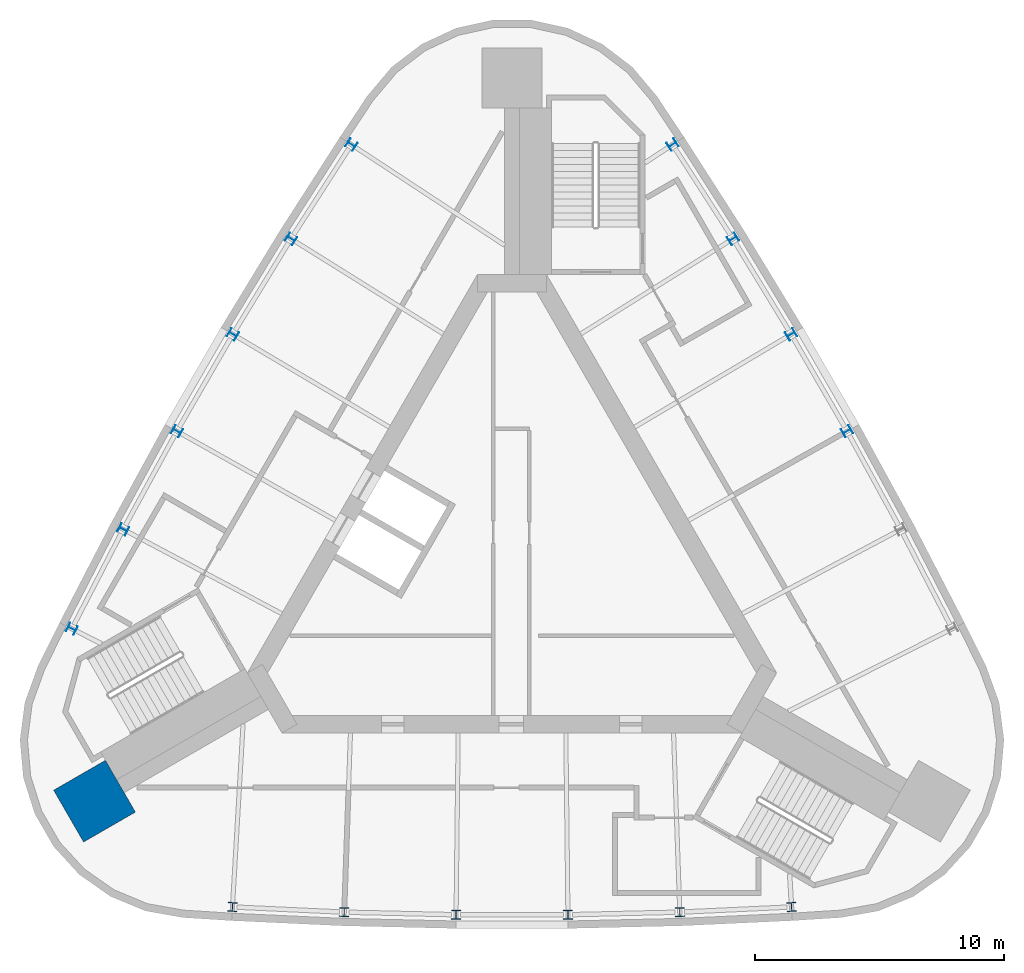
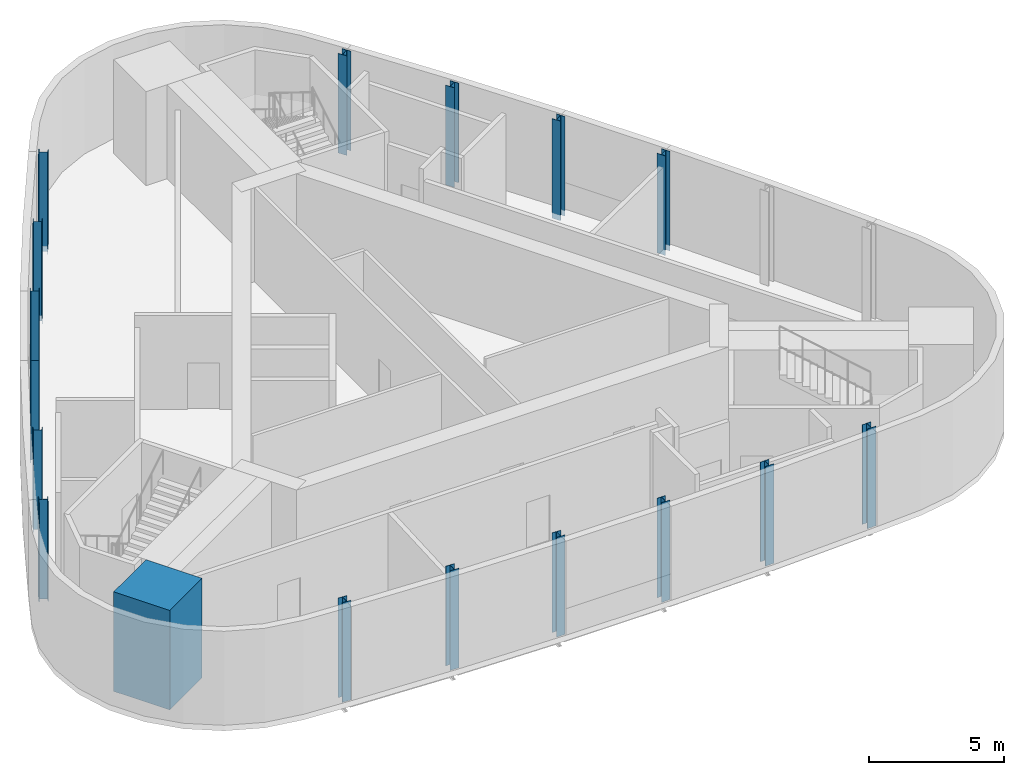
# One storey, part 1 of 7: 17 columns.
"""IFC4 building model written with IfcOpenShell, lengths in metres."""

from ifc_helpers import new_model, si_unit, direction, frame, origin, origin_2d, place, context, subcontext, project, spatial, rectangle, i_section, extrude, material, material_profile, profile_set, type_object, element, save


model = new_model("IFC4")

# Units and contexts
model_context = context("Model", 3, precision=1e-05, world=origin(), true_north=direction((0.0, 1.0)))
body_context = subcontext(model_context, "Body", "Model", "MODEL_VIEW")
ifc_project = project(units=[si_unit("LENGTHUNIT", "METRE"), si_unit("AREAUNIT", "SQUARE_METRE"), si_unit("VOLUMEUNIT", "CUBIC_METRE"), si_unit("PLANEANGLEUNIT", "RADIAN"), si_unit("MASSUNIT", "GRAM", prefix="KILO")], contexts=[model_context])

# Site, building, storey
site_placement = place(None, origin())
site = spatial("IfcSite", under=ifc_project, at=site_placement, CompositionType="ELEMENT")
building_placement = place(site_placement, origin())
building = spatial("IfcBuilding", under=site, at=building_placement, Name="Noor Cloister Tower", CompositionType="ELEMENT")
storey_placement = place(building_placement, frame((0.0, 0.0, 297.60009765625)))
storey = spatial("IfcBuildingStorey", under=building, at=storey_placement, Name="L75", CompositionType="ELEMENT", Elevation=297.60009765625)

# Columns
ifc_material_1 = material(Name="Steel ASTM A992 Gr 50", Category="steel")
ifc_material_profile_1 = material_profile(ifc_material_1, i_section(OverallWidth=0.367919921875, OverallDepth=0.35595703125, WebThickness=0.01123046875, FlangeThickness=0.01806640625, FilletRadius=0.015380859375, at=origin_2d()), Name="W360x134")
ifc_profile_set_1 = profile_set([ifc_material_profile_1], Name="Steel ASTM A992 Gr 50")
column_type_1 = type_object("IfcColumnType", Name="Column W360x134", PredefinedType="COLUMN", material=ifc_profile_set_1)
for number, where, z_axis, x_axis, name in (
    (1, (-6.441650390625, 16.66552734375, -0.25), (0.0, 0.0, 1.0), (-0.549344612048, -0.835595893488, 0.0), "Column NW 01 L75"),
    (2, (-8.863037109375, 12.8876953125, -0.25), (0.0, 0.0, 1.0), (-0.529819164802, -0.84811063701, 0.0), "Column NW 02 L75"),
    (3, (-11.196044921875, 9.0546875, -0.25), (0.0, 0.0, 1.0), (-0.51000874803, -0.860169214127, 0.0), "Column NW 03 L75"),
    (4, (-13.439697265625, 5.168701171875, -0.25), (0.0, 0.0, 1.0), (-0.489924016972, -0.87176513901, 0.0), "Column NW 04 L75"),
    (5, (-15.592529296875, 1.231689453125, -0.25), (0.0, 0.0, 1.0), (-0.469575774469, -0.882892174635, 0.0), "Column NW 05 L75"),
    (6, (-17.653564453125, -2.75390625, -0.25), (0.0, 0.0, 1.0), (-0.448974965035, -0.893544336209, 0.0), "Column NW 06 L75"),
    (7, (-11.2119140625, -13.911376953125, -0.25), (0.0, 0.0, 1.0), (0.998319577082, -0.057948442721, 0.0), "Column S 01 L75"),
    (8, (-6.7294921875, -14.119384765625, -0.25), (0.0, 0.0, 1.0), (0.999394939271, -0.034781537625, 0.0), "Column S 02 L75"),
    (9, (-2.24365234375, -14.2236328125, -0.25), (0.0, 0.0, 1.0), (0.999932765003, -0.011595924883, 0.0), "Column S 03 L75"),
    (10, (2.24365234375, -14.2236328125, -0.25), (0.0, 0.0, 1.0), (0.999932765003, 0.011595924883, 0.0), "Column S 04 L75"),
    (11, (6.7294921875, -14.119384765625, -0.25), (0.0, 0.0, 1.0), (0.999394939271, 0.034781537625, 0.0), "Column S 05 L75"),
    (12, (11.2119140625, -13.911376953125, -0.25), (0.0, 0.0, 1.0), (0.998319577082, 0.057948442721, 0.0), "Column S 06 L75"),
    (13, (13.439697265625, 5.168701171875, -0.25), (0.0, 0.0, 1.0), (-0.489924016972, 0.87176513901, 0.0), "Column NE 03 L75"),
    (14, (11.196044921875, 9.0546875, -0.25), (0.0, 0.0, 1.0), (-0.51000874803, 0.860169214127, 0.0), "Column NE 04 L75"),
    (15, (8.863037109375, 12.8876953125, -0.25), (0.0, 0.0, 1.0), (-0.529819164802, 0.84811063701, 0.0), "Column NE 05 L75"),
    (16, (6.441650390625, 16.66552734375, -0.25), (0.0, 0.0, 1.0), (-0.549344612048, 0.835595893488, 0.0), "Column NE 06 L75"),
):
    element("IfcColumn", number, at=place(storey_placement, frame(where, z_axis=z_axis, x_axis=x_axis)), inside=storey, type_object=column_type_1, Name=name, PredefinedType="COLUMN", context=body_context, shape_type="SweptSolid", body=[
        extrude(i_section(OverallWidth=0.367919921875, OverallDepth=0.35595703125, WebThickness=0.01123046875, FlangeThickness=0.01806640625, FilletRadius=0.015380859375, at=origin_2d()), origin(), (0.0, 0.0, 1.0), 4.5),
    ])
ifc_material_2 = material(Name="Concrete C50/60", Category="concrete")
ifc_material_profile_2 = material_profile(ifc_material_2, rectangle(XDim=2.39990234375, YDim=2.39990234375, at=origin_2d()), Name="RC 2400x2400")
ifc_profile_set_2 = profile_set([ifc_material_profile_2], Name="Concrete C50/60")
column_type_2 = type_object("IfcColumnType", Name="Corner pier 2400 x 2400 C50/60", PredefinedType="COLUMN", material=ifc_profile_set_2)
column_placement = place(storey_placement, frame((-16.74462890625, -9.66748046875, -0.25), z_axis=(0.0, 0.0, 1.0), x_axis=(-0.866025403784, -0.5, 0.0)))
element("IfcColumn", 17, at=column_placement, inside=storey, type_object=column_type_2, Name="Corner pier SW L75", PredefinedType="COLUMN", context=body_context, shape_type="SweptSolid", body=[
    extrude(rectangle(XDim=2.39990234375, YDim=2.39990234375, at=origin_2d()), origin(), (0.0, 0.0, 1.0), 4.5),
])

save(model, "model.ifc")
